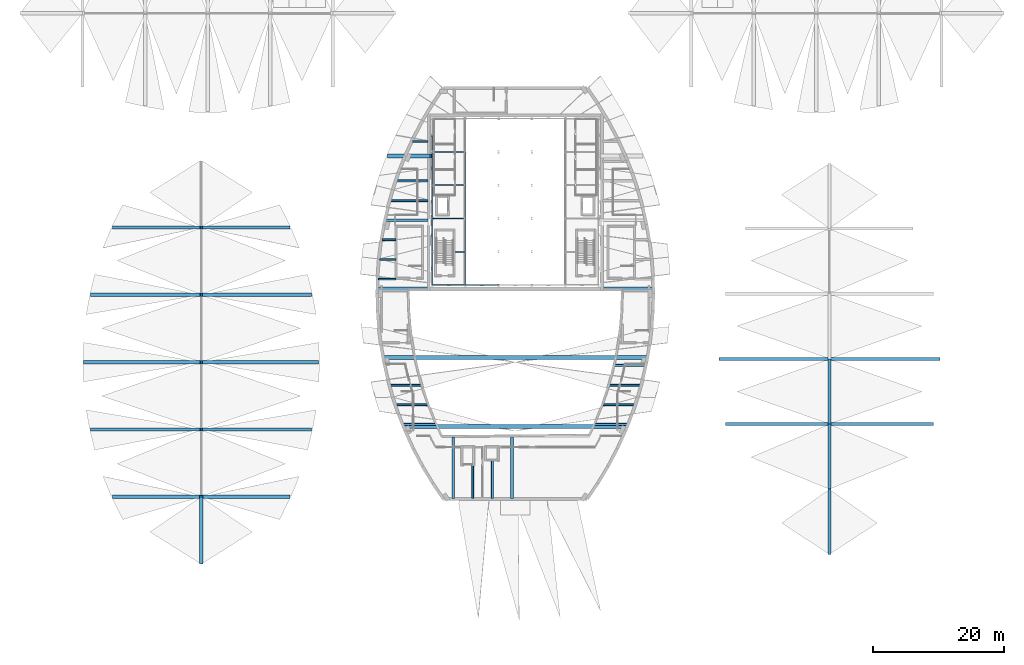
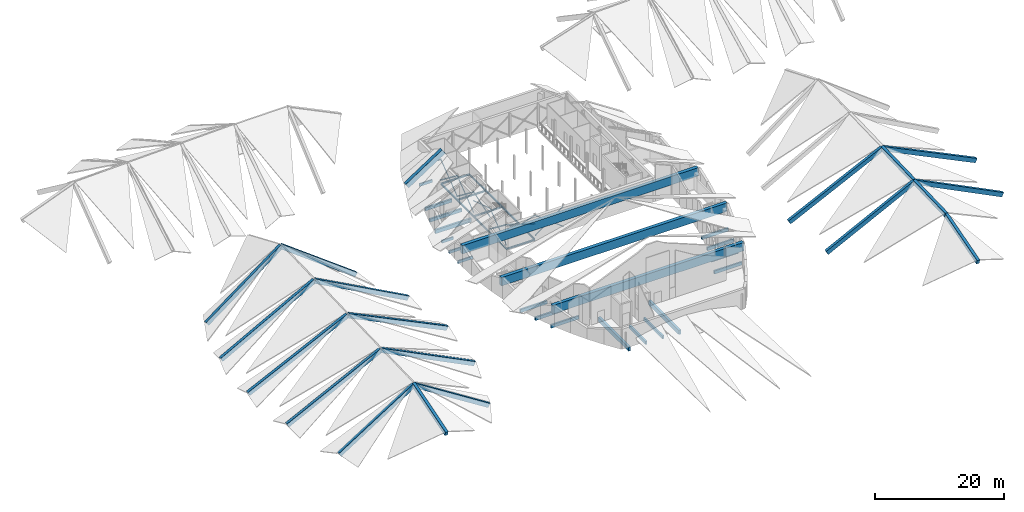
# One storey, part 5 of 17: 53 beams, 19 members.
"""IFC4 building model written with IfcOpenShell, lengths in metres."""

from ifc_helpers import new_model, si_unit, direction, frame, origin, origin_2d, place, context, subcontext, project, spatial, rectangle, hollow_circle, i_section, extrude, material, material_profile, profile_set, type_object, element, save


model = new_model("IFC4")

# Units and contexts
model_context = context("Model", 3, precision=1e-05, world=origin(), true_north=direction((0.0, 1.0)))
body_context = subcontext(model_context, "Body", "Model", "MODEL_VIEW")
ifc_project = project(units=[si_unit("LENGTHUNIT", "METRE"), si_unit("AREAUNIT", "SQUARE_METRE"), si_unit("VOLUMEUNIT", "CUBIC_METRE"), si_unit("PLANEANGLEUNIT", "RADIAN"), si_unit("MASSUNIT", "GRAM", prefix="KILO")], contexts=[model_context])

# Site, building, storey
site_placement = place(None, origin())
site = spatial("IfcSite", under=ifc_project, at=site_placement, CompositionType="ELEMENT")
building_placement = place(site_placement, origin())
building = spatial("IfcBuilding", under=site, at=building_placement, Name="Tide Square Theatres", CompositionType="ELEMENT")
storey_placement = place(building_placement, frame((0.0, 0.0, 14.800048828125)))
storey = spatial("IfcBuildingStorey", under=building, at=storey_placement, Name="L03", CompositionType="ELEMENT", Elevation=14.800048828125)

# Beams
ifc_material_1 = material(Name="Concrete C35", Category="concrete")
ifc_material_profile_1 = material_profile(ifc_material_1, rectangle(XDim=0.25, YDim=0.5, at=origin_2d()))
ifc_profile_set_1 = profile_set([ifc_material_profile_1], Name="Concrete C35")
beam_type_1 = type_object("IfcBeamType", Name="RC beam 250 x 500", PredefinedType="BEAM", material=ifc_profile_set_1)
beam_1_placement = place(storey_placement, frame((63.069091796875, 57.199951171875, -0.5), z_axis=(1.0, 0.0, 0.0), x_axis=(0.0, 1.0, 0.0)))
element("IfcBeam", 1, at=beam_1_placement, inside=storey, type_object=beam_type_1, Name="Floor beam", PredefinedType="BEAM", context=body_context, shape_type="SweptSolid", body=[
    extrude(rectangle(XDim=0.25, YDim=0.5, at=origin_2d()), origin(), (0.0, 0.0, 1.0), 2.680908203125),
])
beam_2_placement = place(storey_placement, frame((63.26953125, 60.199951171875, -0.5), z_axis=(1.0, 0.0, 0.0), x_axis=(0.0, 1.0, 0.0)))
element("IfcBeam", 2, at=beam_2_placement, inside=storey, type_object=beam_type_1, Name="Floor beam", PredefinedType="BEAM", context=body_context, shape_type="SweptSolid", body=[
    extrude(rectangle(XDim=0.25, YDim=0.5, at=origin_2d()), origin(), (0.0, 0.0, 1.0), 2.48046875),
])
beam_3_placement = place(storey_placement, frame((63.654052734375, 63.199951171875, -0.5), z_axis=(1.0, 0.0, 0.0), x_axis=(0.0, 1.0, 0.0)))
element("IfcBeam", 3, at=beam_3_placement, inside=storey, type_object=beam_type_1, Name="Floor beam", PredefinedType="BEAM", context=body_context, shape_type="SweptSolid", body=[
    extrude(rectangle(XDim=0.25, YDim=0.5, at=origin_2d()), origin(), (0.0, 0.0, 1.0), 2.095947265625),
])
beam_4_placement = place(storey_placement, frame((68.314697265625, 78.199951171875, -0.5), z_axis=(1.0, 0.0, 0.0), x_axis=(0.0, 1.0, 0.0)))
element("IfcBeam", 4, at=beam_4_placement, inside=storey, type_object=beam_type_1, Name="Floor beam", PredefinedType="BEAM", context=body_context, shape_type="SweptSolid", body=[
    extrude(rectangle(XDim=0.25, YDim=0.5, at=origin_2d()), origin(), (0.0, 0.0, 1.0), 2.335205078125),
])
ifc_material_2 = material(Name="Concrete C35", Category="concrete")
ifc_material_profile_2 = material_profile(ifc_material_2, rectangle(XDim=0.300048828125, YDim=0.60009765625, at=origin_2d()))
ifc_profile_set_2 = profile_set([ifc_material_profile_2], Name="Concrete C35")
beam_type_2 = type_object("IfcBeamType", Name="RC beam 300 x 600", PredefinedType="BEAM", material=ifc_profile_set_2)
beam_5_placement = place(storey_placement, frame((77.5, 23.70751953125, -0.550048828125), z_axis=(0.0, 1.0, 0.0), x_axis=(-1.0, 0.0, 0.0)))
element("IfcBeam", 5, at=beam_5_placement, inside=storey, type_object=beam_type_2, Name="Floor beam", PredefinedType="BEAM", context=body_context, shape_type="SweptSolid", body=[
    extrude(rectangle(XDim=0.300048828125, YDim=0.60009765625, at=origin_2d()), origin(), (0.0, 0.0, 1.0), 5.092529296875),
])
beam_6_placement = place(storey_placement, frame((80.5, 23.70751953125, -0.550048828125), z_axis=(0.0, 1.0, 0.0), x_axis=(-1.0, 0.0, 0.0)))
element("IfcBeam", 6, at=beam_6_placement, inside=storey, type_object=beam_type_2, Name="Floor beam", PredefinedType="BEAM", context=body_context, shape_type="SweptSolid", body=[
    extrude(rectangle(XDim=0.300048828125, YDim=0.60009765625, at=origin_2d()), origin(), (0.0, 0.0, 1.0), 5.79248046875),
])
beam_7_placement = place(storey_placement, frame((66.90771484375, 35.0, -0.550048828125), z_axis=(1.0, 0.0, 0.0), x_axis=(0.0, 1.0, 0.0)))
element("IfcBeam", 7, at=beam_7_placement, inside=storey, type_object=beam_type_2, Name="Floor beam", PredefinedType="BEAM", context=body_context, shape_type="SweptSolid", body=[
    extrude(rectangle(XDim=0.300048828125, YDim=0.60009765625, at=origin_2d()), origin(), (0.0, 0.0, 1.0), 4.98095703125),
])
beam_8_placement = place(storey_placement, frame((65.8037109375, 38.0, -0.550048828125), z_axis=(1.0, 0.0, 0.0), x_axis=(0.0, 1.0, 0.0)))
element("IfcBeam", 8, at=beam_8_placement, inside=storey, type_object=beam_type_2, Name="Floor beam", PredefinedType="BEAM", context=body_context, shape_type="SweptSolid", body=[
    extrude(rectangle(XDim=0.300048828125, YDim=0.60009765625, at=origin_2d()), origin(), (0.0, 0.0, 1.0), 4.850341796875),
])
beam_9_placement = place(storey_placement, frame((64.8935546875, 41.0, -0.550048828125), z_axis=(1.0, 0.0, 0.0), x_axis=(0.0, 1.0, 0.0)))
element("IfcBeam", 9, at=beam_9_placement, inside=storey, type_object=beam_type_2, Name="Floor beam", PredefinedType="BEAM", context=body_context, shape_type="SweptSolid", body=[
    extrude(rectangle(XDim=0.300048828125, YDim=0.60009765625, at=origin_2d()), origin(), (0.0, 0.0, 1.0), 4.769775390625),
])
beam_10_placement = place(storey_placement, frame((96.111328125, 35.0, -0.550048828125), z_axis=(1.0, 0.0, 0.0), x_axis=(0.0, 1.0, 0.0)))
element("IfcBeam", 10, at=beam_10_placement, inside=storey, type_object=beam_type_2, Name="Floor beam", PredefinedType="BEAM", context=body_context, shape_type="SweptSolid", body=[
    extrude(rectangle(XDim=0.300048828125, YDim=0.60009765625, at=origin_2d()), origin(), (0.0, 0.0, 1.0), 4.98095703125),
])
beam_11_placement = place(storey_placement, frame((97.345947265625, 38.0, -0.550048828125), z_axis=(1.0, 0.0, 0.0), x_axis=(0.0, 1.0, 0.0)))
element("IfcBeam", 11, at=beam_11_placement, inside=storey, type_object=beam_type_2, Name="Floor beam", PredefinedType="BEAM", context=body_context, shape_type="SweptSolid", body=[
    extrude(rectangle(XDim=0.300048828125, YDim=0.60009765625, at=origin_2d()), origin(), (0.0, 0.0, 1.0), 4.850341796875),
])
beam_12_placement = place(storey_placement, frame((98.336669921875, 41.0, -0.550048828125), z_axis=(1.0, 0.0, 0.0), x_axis=(0.0, 1.0, 0.0)))
element("IfcBeam", 12, at=beam_12_placement, inside=storey, type_object=beam_type_2, Name="Floor beam", PredefinedType="BEAM", context=body_context, shape_type="SweptSolid", body=[
    extrude(rectangle(XDim=0.300048828125, YDim=0.60009765625, at=origin_2d()), origin(), (0.0, 0.0, 1.0), 4.769775390625),
])
beam_13_placement = place(storey_placement, frame((99.12060546875, 44.0, -0.550048828125), z_axis=(1.0, 0.0, 0.0), x_axis=(0.0, 1.0, 0.0)))
element("IfcBeam", 13, at=beam_13_placement, inside=storey, type_object=beam_type_2, Name="Floor beam", PredefinedType="BEAM", context=body_context, shape_type="SweptSolid", body=[
    extrude(rectangle(XDim=0.300048828125, YDim=0.60009765625, at=origin_2d()), origin(), (0.0, 0.0, 1.0), 4.710693359375),
])
beam_14_placement = place(storey_placement, frame((64.94970703125, 69.199951171875, -0.550048828125), z_axis=(1.0, 0.0, 0.0), x_axis=(0.0, 1.0, 0.0)))
element("IfcBeam", 14, at=beam_14_placement, inside=storey, type_object=beam_type_2, Name="Floor beam", PredefinedType="BEAM", context=body_context, shape_type="SweptSolid", body=[
    extrude(rectangle(XDim=0.300048828125, YDim=0.60009765625, at=origin_2d()), origin(), (0.0, 0.0, 1.0), 5.7001953125),
])
beam_15_placement = place(storey_placement, frame((65.870849609375, 72.199951171875, -0.550048828125), z_axis=(1.0, 0.0, 0.0), x_axis=(0.0, 1.0, 0.0)))
element("IfcBeam", 15, at=beam_15_placement, inside=storey, type_object=beam_type_2, Name="Floor beam", PredefinedType="BEAM", context=body_context, shape_type="SweptSolid", body=[
    extrude(rectangle(XDim=0.300048828125, YDim=0.60009765625, at=origin_2d()), origin(), (0.0, 0.0, 1.0), 4.779052734375),
])
ifc_material_3 = material(Name="Concrete C35", Category="concrete")
ifc_material_profile_3 = material_profile(ifc_material_3, rectangle(XDim=0.35009765625, YDim=0.699951171875, at=origin_2d()))
ifc_profile_set_3 = profile_set([ifc_material_profile_3], Name="Concrete C35")
beam_type_3 = type_object("IfcBeamType", Name="RC beam 350 x 700", PredefinedType="BEAM", material=ifc_profile_set_3)
beam_16_placement = place(storey_placement, frame((64.2138671875, 66.199951171875, -0.60009765625), z_axis=(1.0, 0.0, 0.0), x_axis=(0.0, 1.0, 0.0)))
element("IfcBeam", 16, at=beam_16_placement, inside=storey, type_object=beam_type_3, Name="Floor beam", PredefinedType="BEAM", context=body_context, shape_type="SweptSolid", body=[
    extrude(rectangle(XDim=0.35009765625, YDim=0.699951171875, at=origin_2d()), origin(), (0.0, 0.0, 1.0), 6.43603515625),
])
ifc_material_4 = material(Name="Concrete C35", Category="concrete")
ifc_material_profile_4 = material_profile(ifc_material_4, rectangle(XDim=0.39990234375, YDim=0.800048828125, at=origin_2d()))
ifc_profile_set_4 = profile_set([ifc_material_profile_4], Name="Concrete C35")
beam_type_4 = type_object("IfcBeamType", Name="RC beam 400 x 800", PredefinedType="BEAM", material=ifc_profile_set_4)
for number, where, z_axis, x_axis, name in (
    (17, (74.5, 23.70751953125, -0.650146484375), (0.0, 1.0, 0.0), (-1.0, 0.0, 0.0), "Floor beam"),
    (18, (83.5, 23.70751953125, -0.650146484375), (0.0, 1.0, 0.0), (-1.0, 0.0, 0.0), "Floor beam"),
):
    element("IfcBeam", number, at=place(storey_placement, frame(where, z_axis=z_axis, x_axis=x_axis)), inside=storey, type_object=beam_type_4, Name=name, PredefinedType="BEAM", context=body_context, shape_type="SweptSolid", body=[
        extrude(rectangle(XDim=0.39990234375, YDim=0.800048828125, at=origin_2d()), origin(), (0.0, 0.0, 1.0), 9.392578125),
    ])
ifc_material_5 = material(Name="Concrete C40", Category="concrete")
ifc_material_profile_5 = material_profile(ifc_material_5, rectangle(XDim=0.5, YDim=0.800048828125, at=origin_2d()))
ifc_profile_set_5 = profile_set([ifc_material_profile_5], Name="Concrete C40")
beam_type_5 = type_object("IfcBeamType", Name="RC roof rib 500 x 800", PredefinedType="BEAM", material=ifc_profile_set_5)
beam_17_placement = place(storey_placement, frame((49.354248046875, 23.919921875, -2.541015625), z_axis=(-0.844108056281, 0.0, 0.536173096417), x_axis=(0.0, -1.0, 0.0)))
element("IfcBeam", 19, at=beam_17_placement, inside=storey, type_object=beam_type_5, Name="Roof rib studio R1", PredefinedType="BEAM", context=body_context, shape_type="SweptSolid", body=[
    extrude(rectangle(XDim=0.5, YDim=0.800048828125, at=origin_2d()), origin(), (0.0, 0.0, 1.0), 15.837646484375),
])
beam_18_placement = place(storey_placement, frame((52.705810546875, 34.2099609375, -2.052734375), z_axis=(-0.894293676448, 0.0, 0.447480525012), x_axis=(0.0, -1.0, 0.0)))
element("IfcBeam", 20, at=beam_18_placement, inside=storey, type_object=beam_type_5, Name="Roof rib studio R2", PredefinedType="BEAM", context=body_context, shape_type="SweptSolid", body=[
    extrude(rectangle(XDim=0.5, YDim=0.800048828125, at=origin_2d()), origin(), (0.0, 0.0, 1.0), 18.656982421875),
])
beam_19_placement = place(storey_placement, frame((53.7685546875, 44.5, -1.969482421875), z_axis=(-0.90007825314, 0.0, 0.435728284857), x_axis=(0.0, -1.0, 0.0)))
element("IfcBeam", 21, at=beam_19_placement, inside=storey, type_object=beam_type_5, Name="Roof rib studio R3", PredefinedType="BEAM", context=body_context, shape_type="SweptSolid", body=[
    extrude(rectangle(XDim=0.5, YDim=0.800048828125, at=origin_2d()), origin(), (0.0, 0.0, 1.0), 19.712646484375),
])
beam_20_placement = place(storey_placement, frame((52.69384765625, 54.7900390625, -2.136962890625), z_axis=(-0.878677626502, 0.0, 0.477415572311), x_axis=(0.0, -1.0, 0.0)))
element("IfcBeam", 22, at=beam_20_placement, inside=storey, type_object=beam_type_5, Name="Roof rib studio R4", PredefinedType="BEAM", context=body_context, shape_type="SweptSolid", body=[
    extrude(rectangle(XDim=0.5, YDim=0.800048828125, at=origin_2d()), origin(), (0.0, 0.0, 1.0), 18.988525390625),
])
beam_21_placement = place(storey_placement, frame((49.328857421875, 65.080078125, -2.770751953125), z_axis=(-0.800333117327, 0.0, 0.599555586505), x_axis=(0.0, -1.0, 0.0)))
element("IfcBeam", 23, at=beam_21_placement, inside=storey, type_object=beam_type_5, Name="Roof rib studio R5", PredefinedType="BEAM", context=body_context, shape_type="SweptSolid", body=[
    extrude(rectangle(XDim=0.5, YDim=0.800048828125, at=origin_2d()), origin(), (0.0, 0.0, 1.0), 16.703857421875),
])
beam_22_placement = place(storey_placement, frame((22.645751953125, 23.919921875, -2.541015625), z_axis=(0.844108056281, 0.0, 0.536173096417), x_axis=(0.0, 1.0, 0.0)))
element("IfcBeam", 24, at=beam_22_placement, inside=storey, type_object=beam_type_5, Name="Roof rib studio L1", PredefinedType="BEAM", context=body_context, shape_type="SweptSolid", body=[
    extrude(rectangle(XDim=0.5, YDim=0.800048828125, at=origin_2d()), origin(), (0.0, 0.0, 1.0), 15.837646484375),
])
beam_23_placement = place(storey_placement, frame((19.294189453125, 34.2099609375, -2.052734375), z_axis=(0.894293676448, 0.0, 0.447480525012), x_axis=(0.0, 1.0, 0.0)))
element("IfcBeam", 25, at=beam_23_placement, inside=storey, type_object=beam_type_5, Name="Roof rib studio L2", PredefinedType="BEAM", context=body_context, shape_type="SweptSolid", body=[
    extrude(rectangle(XDim=0.5, YDim=0.800048828125, at=origin_2d()), origin(), (0.0, 0.0, 1.0), 18.656982421875),
])
beam_24_placement = place(storey_placement, frame((18.2314453125, 44.5, -1.969482421875), z_axis=(0.90007825314, 0.0, 0.435728284857), x_axis=(0.0, 1.0, 0.0)))
element("IfcBeam", 26, at=beam_24_placement, inside=storey, type_object=beam_type_5, Name="Roof rib studio L3", PredefinedType="BEAM", context=body_context, shape_type="SweptSolid", body=[
    extrude(rectangle(XDim=0.5, YDim=0.800048828125, at=origin_2d()), origin(), (0.0, 0.0, 1.0), 19.712646484375),
])
beam_25_placement = place(storey_placement, frame((19.30615234375, 54.7900390625, -2.136962890625), z_axis=(0.878677626502, 0.0, 0.477415572311), x_axis=(0.0, 1.0, 0.0)))
element("IfcBeam", 27, at=beam_25_placement, inside=storey, type_object=beam_type_5, Name="Roof rib studio L4", PredefinedType="BEAM", context=body_context, shape_type="SweptSolid", body=[
    extrude(rectangle(XDim=0.5, YDim=0.800048828125, at=origin_2d()), origin(), (0.0, 0.0, 1.0), 18.988525390625),
])
beam_26_placement = place(storey_placement, frame((22.671142578125, 65.080078125, -2.770751953125), z_axis=(0.800333117327, 0.0, 0.599555586505), x_axis=(0.0, 1.0, 0.0)))
element("IfcBeam", 28, at=beam_26_placement, inside=storey, type_object=beam_type_5, Name="Roof rib studio L5", PredefinedType="BEAM", context=body_context, shape_type="SweptSolid", body=[
    extrude(rectangle(XDim=0.5, YDim=0.800048828125, at=origin_2d()), origin(), (0.0, 0.0, 1.0), 16.703857421875),
])
beam_27_placement = place(storey_placement, frame((147.707763671875, 35.041748046875, -3.85302734375), z_axis=(-0.894101335326, 0.0, 0.447864714137), x_axis=(0.0, -1.0, 0.0)))
element("IfcBeam", 29, at=beam_27_placement, inside=storey, type_object=beam_type_5, Name="Roof rib blackbox R2", PredefinedType="BEAM", context=body_context, shape_type="SweptSolid", body=[
    extrude(rectangle(XDim=0.5, YDim=0.800048828125, at=origin_2d()), origin(), (0.0, 0.0, 1.0), 17.544677734375),
])
beam_28_placement = place(storey_placement, frame((148.702392578125, 45.0, -3.7734375), z_axis=(-0.89968747249, 0.0, 0.436534594098), x_axis=(0.0, -1.0, 0.0)))
element("IfcBeam", 30, at=beam_28_placement, inside=storey, type_object=beam_type_5, Name="Roof rib blackbox R3", PredefinedType="BEAM", context=body_context, shape_type="SweptSolid", body=[
    extrude(rectangle(XDim=0.5, YDim=0.800048828125, at=origin_2d()), origin(), (0.0, 0.0, 1.0), 18.536376953125),
])
beam_29_placement = place(storey_placement, frame((116.292236328125, 35.041748046875, -3.85302734375), z_axis=(0.894101335326, 0.0, 0.447864714137), x_axis=(0.0, 1.0, 0.0)))
element("IfcBeam", 31, at=beam_29_placement, inside=storey, type_object=beam_type_5, Name="Roof rib blackbox L2", PredefinedType="BEAM", context=body_context, shape_type="SweptSolid", body=[
    extrude(rectangle(XDim=0.5, YDim=0.800048828125, at=origin_2d()), origin(), (0.0, 0.0, 1.0), 17.544677734375),
])
beam_30_placement = place(storey_placement, frame((115.297607421875, 45.0, -3.7734375), z_axis=(0.89968747249, 0.0, 0.436534594098), x_axis=(0.0, 1.0, 0.0)))
element("IfcBeam", 32, at=beam_30_placement, inside=storey, type_object=beam_type_5, Name="Roof rib blackbox L3", PredefinedType="BEAM", context=body_context, shape_type="SweptSolid", body=[
    extrude(rectangle(XDim=0.5, YDim=0.800048828125, at=origin_2d()), origin(), (0.0, 0.0, 1.0), 18.536376953125),
])
ifc_material_6 = material(Name="Concrete C40", Category="concrete")
ifc_material_profile_6 = material_profile(ifc_material_6, rectangle(XDim=0.60009765625, YDim=1.0, at=origin_2d()))
ifc_profile_set_6 = profile_set([ifc_material_profile_6], Name="Concrete C40")
beam_type_6 = type_object("IfcBeamType", Name="RC roof rib and ridge 600 x 1000", PredefinedType="BEAM", material=ifc_profile_set_6)
beam_31_placement = place(storey_placement, frame((64.733154296875, 76.0068359375, 2.0068359375), z_axis=(0.837268460487, 0.0, 0.546792030916), x_axis=(0.0, 1.0, 0.0)))
element("IfcBeam", 33, at=beam_31_placement, inside=storey, type_object=beam_type_6, Name="Roof rib main L5", PredefinedType="BEAM", context=body_context, shape_type="SweptSolid", body=[
    extrude(rectangle(XDim=0.60009765625, YDim=1.0, at=origin_2d()), origin(), (0.0, 0.0, 1.0), 7.8115234375),
])
ifc_material_7 = material(Name="Concrete C40", Category="concrete")
ifc_material_profile_7 = material_profile(ifc_material_7, rectangle(XDim=0.5, YDim=0.800048828125, at=origin_2d()))
ifc_profile_set_7 = profile_set([ifc_material_profile_7], Name="Concrete C40")
beam_type_7 = type_object("IfcBeamType", Name="RC roof ridge beam 500 x 800", PredefinedType="BEAM", material=ifc_profile_set_7)
beam_32_placement = place(storey_placement, frame((36.0, 13.74609375, 2.83154296875), z_axis=(0.0, 0.956320919484, 0.292318831), x_axis=(-1.0, 0.0, 0.0)))
element("IfcBeam", 34, at=beam_32_placement, inside=storey, type_object=beam_type_7, Name="Ridge beam studio", PredefinedType="BEAM", context=body_context, shape_type="SweptSolid", body=[
    extrude(rectangle(XDim=0.5, YDim=0.800048828125, at=origin_2d()), origin(), (0.0, 0.0, 1.0), 10.760498046875),
])
beam_33_placement = place(storey_placement, frame((132.0, 15.236083984375, 0.813720703125), z_axis=(0.0, 0.960706506978, 0.277566221739), x_axis=(-1.0, 0.0, 0.0)))
element("IfcBeam", 35, at=beam_33_placement, inside=storey, type_object=beam_type_7, Name="Ridge beam blackbox", PredefinedType="BEAM", context=body_context, shape_type="SweptSolid", body=[
    extrude(rectangle(XDim=0.5, YDim=0.800048828125, at=origin_2d()), origin(), (0.0, 0.0, 1.0), 10.36572265625),
])
beam_34_placement = place(storey_placement, frame((132.0, 25.095703125, 3.71923828125), z_axis=(0.0, 0.999550039057, 0.029995323326), x_axis=(-1.0, 0.0, 0.0)))
element("IfcBeam", 36, at=beam_34_placement, inside=storey, type_object=beam_type_7, Name="Ridge beam blackbox", PredefinedType="BEAM", context=body_context, shape_type="SweptSolid", body=[
    extrude(rectangle(XDim=0.5, YDim=0.800048828125, at=origin_2d()), origin(), (0.0, 0.0, 1.0), 9.96240234375),
])
beam_35_placement = place(storey_placement, frame((132.0, 35.0537109375, 4.03466796875), z_axis=(0.0, 0.999550795503, 0.029970105247), x_axis=(-1.0, 0.0, 0.0)))
element("IfcBeam", 37, at=beam_35_placement, inside=storey, type_object=beam_type_7, Name="Ridge beam blackbox", PredefinedType="BEAM", context=body_context, shape_type="SweptSolid", body=[
    extrude(rectangle(XDim=0.5, YDim=0.800048828125, at=origin_2d()), origin(), (0.0, 0.0, 1.0), 9.962646484375),
])
ifc_material_8 = material(Name="Concrete C40", Category="concrete")
ifc_material_profile_8 = material_profile(ifc_material_8, rectangle(XDim=0.60009765625, YDim=1.60009765625, at=origin_2d()))
ifc_profile_set_8 = profile_set([ifc_material_profile_8], Name="Concrete C40")
beam_type_8 = type_object("IfcBeamType", Name="RC tie beam 600 x 1600", PredefinedType="BEAM", material=ifc_profile_set_8)
beam_36_placement = place(storey_placement, frame((101.093994140625, 34.644287109375, 2.951171875), z_axis=(-1.0, 0.0, 0.0), x_axis=(0.0, -1.0, 0.0)))
element("IfcBeam", 38, at=beam_36_placement, inside=storey, type_object=beam_type_8, Name="Eaves tie beam main 1", PredefinedType="BEAM", context=body_context, shape_type="SweptSolid", body=[
    extrude(rectangle(XDim=0.60009765625, YDim=1.60009765625, at=origin_2d()), origin(), (0.0, 0.0, 1.0), 34.18798828125),
])
beam_37_placement = place(storey_placement, frame((104.194091796875, 45.186279296875, 2.939208984375), z_axis=(-1.0, 0.0, 0.0), x_axis=(0.0, -1.0, 0.0)))
element("IfcBeam", 39, at=beam_37_placement, inside=storey, type_object=beam_type_8, Name="Eaves tie beam main 2", PredefinedType="BEAM", context=body_context, shape_type="SweptSolid", body=[
    extrude(rectangle(XDim=0.60009765625, YDim=1.60009765625, at=origin_2d()), origin(), (0.0, 0.0, 1.0), 40.38818359375),
])
beam_38_placement = place(storey_placement, frame((105.0927734375, 55.69970703125, 2.93310546875), z_axis=(-1.0, 0.0, 0.0), x_axis=(0.0, -1.0, 0.0)))
element("IfcBeam", 40, at=beam_38_placement, inside=storey, type_object=beam_type_8, Name="Eaves tie beam main 3", PredefinedType="BEAM", context=body_context, shape_type="SweptSolid", body=[
    extrude(rectangle(XDim=0.60009765625, YDim=1.60009765625, at=origin_2d()), origin(), (0.0, 0.0, 1.0), 42.185546875),
])
ifc_material_9 = material(Name="Steel ASTM A572 Grade 50", Category="steel")
ifc_material_profile_9 = material_profile(ifc_material_9, i_section(OverallWidth=0.1650390625, OverallDepth=0.31005859375, WebThickness=0.005859375, FlangeThickness=0.009765625, FilletRadius=0.010009765625, at=origin_2d()))
ifc_profile_set_9 = profile_set([ifc_material_profile_9], Name="Steel ASTM A572 Grade 50")
beam_type_9 = type_object("IfcBeamType", Name="Steel beam W 310 x 38.7", PredefinedType="BEAM", material=ifc_profile_set_9)
for number, where, z_axis, x_axis, name in (
    (41, (71.27587890625, 56.27587890625, -0.35498046875), (0.0, 1.0, 0.0), (-1.0, 0.0, 0.0), "Fly gallery beam"),
    (42, (71.27587890625, 61.365478515625, -0.35498046875), (0.0, 1.0, 0.0), (-1.0, 0.0, 0.0), "Fly gallery beam"),
):
    element("IfcBeam", number, at=place(storey_placement, frame(where, z_axis=z_axis, x_axis=x_axis)), inside=storey, type_object=beam_type_9, Name=name, PredefinedType="BEAM", context=body_context, shape_type="SweptSolid", body=[
        extrude(i_section(OverallWidth=0.1650390625, OverallDepth=0.31005859375, WebThickness=0.005859375, FlangeThickness=0.009765625, FilletRadius=0.010009765625, at=origin_2d()), origin(), (0.0, 0.0, 1.0), 5.089599609375),
    ])
beam_39_placement = place(storey_placement, frame((71.27587890625, 66.455078125, -0.35498046875), z_axis=(0.0, 1.0, 0.0), x_axis=(-1.0, 0.0, 0.0)))
element("IfcBeam", 43, at=beam_39_placement, inside=storey, type_object=beam_type_9, Name="Fly gallery beam", PredefinedType="BEAM", context=body_context, shape_type="SweptSolid", body=[
    extrude(i_section(OverallWidth=0.1650390625, OverallDepth=0.31005859375, WebThickness=0.005859375, FlangeThickness=0.009765625, FilletRadius=0.010009765625, at=origin_2d()), origin(), (0.0, 0.0, 1.0), 5.08984375),
])
for number, where, z_axis, x_axis, name in (
    (44, (71.27587890625, 71.544921875, -0.35498046875), (0.0, 1.0, 0.0), (-1.0, 0.0, 0.0), "Fly gallery beam"),
    (45, (76.365478515625, 56.27587890625, -0.35498046875), (0.0, 1.0, 0.0), (-1.0, 0.0, 0.0), "Fly gallery beam"),
    (46, (76.365478515625, 61.365478515625, -0.35498046875), (0.0, 1.0, 0.0), (-1.0, 0.0, 0.0), "Fly gallery beam"),
):
    element("IfcBeam", number, at=place(storey_placement, frame(where, z_axis=z_axis, x_axis=x_axis)), inside=storey, type_object=beam_type_9, Name=name, PredefinedType="BEAM", context=body_context, shape_type="SweptSolid", body=[
        extrude(i_section(OverallWidth=0.1650390625, OverallDepth=0.31005859375, WebThickness=0.005859375, FlangeThickness=0.009765625, FilletRadius=0.010009765625, at=origin_2d()), origin(), (0.0, 0.0, 1.0), 5.089599609375),
    ])
beam_40_placement = place(storey_placement, frame((76.365478515625, 66.455078125, -0.35498046875), z_axis=(0.0, 1.0, 0.0), x_axis=(-1.0, 0.0, 0.0)))
element("IfcBeam", 47, at=beam_40_placement, inside=storey, type_object=beam_type_9, Name="Fly gallery beam", PredefinedType="BEAM", context=body_context, shape_type="SweptSolid", body=[
    extrude(i_section(OverallWidth=0.1650390625, OverallDepth=0.31005859375, WebThickness=0.005859375, FlangeThickness=0.009765625, FilletRadius=0.010009765625, at=origin_2d()), origin(), (0.0, 0.0, 1.0), 5.08984375),
])
for number, where, z_axis, x_axis, name in (
    (48, (76.365478515625, 71.544921875, -0.35498046875), (0.0, 1.0, 0.0), (-1.0, 0.0, 0.0), "Fly gallery beam"),
    (49, (71.27587890625, 56.27587890625, -0.35498046875), (1.0, 0.0, 0.0), (0.0, 1.0, 0.0), "Fly gallery cross beam"),
):
    element("IfcBeam", number, at=place(storey_placement, frame(where, z_axis=z_axis, x_axis=x_axis)), inside=storey, type_object=beam_type_9, Name=name, PredefinedType="BEAM", context=body_context, shape_type="SweptSolid", body=[
        extrude(i_section(OverallWidth=0.1650390625, OverallDepth=0.31005859375, WebThickness=0.005859375, FlangeThickness=0.009765625, FilletRadius=0.010009765625, at=origin_2d()), origin(), (0.0, 0.0, 1.0), 5.089599609375),
    ])
beam_41_placement = place(storey_placement, frame((74.77587890625, 61.365478515625, -0.35498046875), z_axis=(1.0, 0.0, 0.0), x_axis=(0.0, 1.0, 0.0)))
element("IfcBeam", 50, at=beam_41_placement, inside=storey, type_object=beam_type_9, Name="Fly gallery cross beam", PredefinedType="BEAM", context=body_context, shape_type="SweptSolid", body=[
    extrude(i_section(OverallWidth=0.1650390625, OverallDepth=0.31005859375, WebThickness=0.005859375, FlangeThickness=0.009765625, FilletRadius=0.010009765625, at=origin_2d()), origin(), (0.0, 0.0, 1.0), 1.589599609375),
])
for number, where, z_axis, x_axis, name in (
    (51, (71.27587890625, 66.455078125, -0.35498046875), (1.0, 0.0, 0.0), (0.0, 1.0, 0.0), "Fly gallery cross beam"),
    (52, (71.27587890625, 71.544921875, -0.35498046875), (1.0, 0.0, 0.0), (0.0, 1.0, 0.0), "Fly gallery cross beam"),
    (53, (71.27587890625, 76.634521484375, -0.35498046875), (1.0, 0.0, 0.0), (0.0, 1.0, 0.0), "Fly gallery cross beam"),
):
    element("IfcBeam", number, at=place(storey_placement, frame(where, z_axis=z_axis, x_axis=x_axis)), inside=storey, type_object=beam_type_9, Name=name, PredefinedType="BEAM", context=body_context, shape_type="SweptSolid", body=[
        extrude(i_section(OverallWidth=0.1650390625, OverallDepth=0.31005859375, WebThickness=0.005859375, FlangeThickness=0.009765625, FilletRadius=0.010009765625, at=origin_2d()), origin(), (0.0, 0.0, 1.0), 5.089599609375),
    ])

# Members
ifc_material_10 = material(Name="Steel ASTM A500 Grade C", Category="steel")
ifc_material_profile_10 = material_profile(ifc_material_10, hollow_circle(Radius=0.084228515625, WallThickness=0.008056640625, at=origin_2d()))
ifc_profile_set_10 = profile_set([ifc_material_profile_10], Name="Steel ASTM A500 Grade C")
member_type = type_object("IfcMemberType", Name="Steel brace CHS 168.3 x 8.0", PredefinedType="BRACE", material=ifc_profile_set_10)
member_1_placement = place(storey_placement, frame((71.27587890625, 56.27587890625, 2.599853515625), z_axis=(0.951252128947, 0.0, 0.30841431091), x_axis=(0.0, 1.0, 0.0)))
element("IfcMember", 54, at=member_1_placement, inside=storey, type_object=member_type, Name="Fly tower brace", PredefinedType="BRACE", context=body_context, shape_type="SweptSolid", body=[
    extrude(hollow_circle(Radius=0.084228515625, WallThickness=0.008056640625, at=origin_2d()), origin(), (0.0, 0.0, 1.0), 5.350341796875),
])
member_2_placement = place(storey_placement, frame((76.365478515625, 56.27587890625, 2.599853515625), z_axis=(-0.951247969685, 0.0, 0.30842713916), x_axis=(0.0, -1.0, 0.0)))
element("IfcMember", 55, at=member_2_placement, inside=storey, type_object=member_type, Name="Fly tower brace", PredefinedType="BRACE", context=body_context, shape_type="SweptSolid", body=[
    extrude(hollow_circle(Radius=0.084228515625, WallThickness=0.008056640625, at=origin_2d()), origin(), (0.0, 0.0, 1.0), 2.46337890625),
])
member_3_placement = place(storey_placement, frame((73.619384765625, 56.27587890625, 3.490234375), z_axis=(-0.951257396321, 0.0, 0.308398064106), x_axis=(0.0, -1.0, 0.0)))
element("IfcMember", 56, at=member_3_placement, inside=storey, type_object=member_type, Name="Fly tower brace", PredefinedType="BRACE", context=body_context, shape_type="SweptSolid", body=[
    extrude(hollow_circle(Radius=0.084228515625, WallThickness=0.008056640625, at=origin_2d()), origin(), (0.0, 0.0, 1.0), 2.463623046875),
])
member_4_placement = place(storey_placement, frame((76.365478515625, 56.27587890625, 0.349853515625), z_axis=(0.793747901786, 0.0, 0.608246881135), x_axis=(0.0, 1.0, 0.0)))
element("IfcMember", 57, at=member_4_placement, inside=storey, type_object=member_type, Name="Fly tower brace", PredefinedType="BRACE", context=body_context, shape_type="SweptSolid", body=[
    extrude(hollow_circle(Radius=0.084228515625, WallThickness=0.008056640625, at=origin_2d()), origin(), (0.0, 0.0, 1.0), 6.412109375),
])
for number, where, z_axis, x_axis, name in (
    (58, (81.455078125, 56.27587890625, 0.349853515625), (-0.793732831925, 0.0, 0.608266546445), (0.0, -1.0, 0.0), "Fly tower brace"),
    (59, (78.83154296875, 56.27587890625, 2.3603515625), (-0.793761905618, 0.0, 0.608228606027), (0.0, -1.0, 0.0), "Fly tower brace"),
):
    element("IfcMember", number, at=place(storey_placement, frame(where, z_axis=z_axis, x_axis=x_axis)), inside=storey, type_object=member_type, Name=name, PredefinedType="BRACE", context=body_context, shape_type="SweptSolid", body=[
        extrude(hollow_circle(Radius=0.084228515625, WallThickness=0.008056640625, at=origin_2d()), origin(), (0.0, 0.0, 1.0), 3.106689453125),
    ])
member_5_placement = place(storey_placement, frame((71.27587890625, 56.27587890625, 0.349853515625), z_axis=(0.0, 0.793747901786, 0.608246881135), x_axis=(-1.0, 0.0, 0.0)))
element("IfcMember", 60, at=member_5_placement, inside=storey, type_object=member_type, Name="Fly tower brace", PredefinedType="BRACE", context=body_context, shape_type="SweptSolid", body=[
    extrude(hollow_circle(Radius=0.084228515625, WallThickness=0.008056640625, at=origin_2d()), origin(), (0.0, 0.0, 1.0), 6.412109375),
])
for number, where, z_axis, x_axis, name in (
    (61, (71.27587890625, 61.365478515625, 0.349853515625), (0.0, -0.793732831925, 0.608266546445), (1.0, 0.0, 0.0), "Fly tower brace"),
    (62, (71.27587890625, 58.741943359375, 2.3603515625), (0.0, -0.793761905618, 0.608228606027), (1.0, 0.0, 0.0), "Fly tower brace"),
):
    element("IfcMember", number, at=place(storey_placement, frame(where, z_axis=z_axis, x_axis=x_axis)), inside=storey, type_object=member_type, Name=name, PredefinedType="BRACE", context=body_context, shape_type="SweptSolid", body=[
        extrude(hollow_circle(Radius=0.084228515625, WallThickness=0.008056640625, at=origin_2d()), origin(), (0.0, 0.0, 1.0), 3.106689453125),
    ])
member_6_placement = place(storey_placement, frame((71.27587890625, 61.365478515625, 2.599853515625), z_axis=(0.0, 0.951252128947, 0.30841431091), x_axis=(-1.0, 0.0, 0.0)))
element("IfcMember", 63, at=member_6_placement, inside=storey, type_object=member_type, Name="Fly tower brace", PredefinedType="BRACE", context=body_context, shape_type="SweptSolid", body=[
    extrude(hollow_circle(Radius=0.084228515625, WallThickness=0.008056640625, at=origin_2d()), origin(), (0.0, 0.0, 1.0), 5.350341796875),
])
member_7_placement = place(storey_placement, frame((71.27587890625, 66.455078125, 2.599853515625), z_axis=(0.0, -0.951247969685, 0.30842713916), x_axis=(1.0, 0.0, 0.0)))
element("IfcMember", 64, at=member_7_placement, inside=storey, type_object=member_type, Name="Fly tower brace", PredefinedType="BRACE", context=body_context, shape_type="SweptSolid", body=[
    extrude(hollow_circle(Radius=0.084228515625, WallThickness=0.008056640625, at=origin_2d()), origin(), (0.0, 0.0, 1.0), 2.46337890625),
])
member_8_placement = place(storey_placement, frame((71.27587890625, 63.708984375, 3.490234375), z_axis=(0.0, -0.951257396321, 0.308398064106), x_axis=(1.0, 0.0, 0.0)))
element("IfcMember", 65, at=member_8_placement, inside=storey, type_object=member_type, Name="Fly tower brace", PredefinedType="BRACE", context=body_context, shape_type="SweptSolid", body=[
    extrude(hollow_circle(Radius=0.084228515625, WallThickness=0.008056640625, at=origin_2d()), origin(), (0.0, 0.0, 1.0), 2.463623046875),
])
member_9_placement = place(storey_placement, frame((71.27587890625, 66.455078125, 0.349853515625), z_axis=(0.0, 0.793761987508, 0.608228499158), x_axis=(-1.0, 0.0, 0.0)))
element("IfcMember", 66, at=member_9_placement, inside=storey, type_object=member_type, Name="Fly tower brace", PredefinedType="BRACE", context=body_context, shape_type="SweptSolid", body=[
    extrude(hollow_circle(Radius=0.084228515625, WallThickness=0.008056640625, at=origin_2d()), origin(), (0.0, 0.0, 1.0), 6.412353515625),
])
for number, where, z_axis, x_axis, name in (
    (67, (71.27587890625, 71.544921875, 0.349853515625), (0.0, -0.793761905618, 0.608228606027), (1.0, 0.0, 0.0), "Fly tower brace"),
    (68, (71.27587890625, 68.921142578125, 2.3603515625), (0.0, -0.793761905618, 0.608228606027), (1.0, 0.0, 0.0), "Fly tower brace"),
):
    element("IfcMember", number, at=place(storey_placement, frame(where, z_axis=z_axis, x_axis=x_axis)), inside=storey, type_object=member_type, Name=name, PredefinedType="BRACE", context=body_context, shape_type="SweptSolid", body=[
        extrude(hollow_circle(Radius=0.084228515625, WallThickness=0.008056640625, at=origin_2d()), origin(), (0.0, 0.0, 1.0), 3.106689453125),
    ])
member_10_placement = place(storey_placement, frame((71.27587890625, 71.544921875, 0.349853515625), z_axis=(0.0, 0.793747901786, 0.608246881135), x_axis=(-1.0, 0.0, 0.0)))
element("IfcMember", 69, at=member_10_placement, inside=storey, type_object=member_type, Name="Fly tower brace", PredefinedType="BRACE", context=body_context, shape_type="SweptSolid", body=[
    extrude(hollow_circle(Radius=0.084228515625, WallThickness=0.008056640625, at=origin_2d()), origin(), (0.0, 0.0, 1.0), 6.412109375),
])
for number, where, z_axis, x_axis, name in (
    (70, (71.27587890625, 76.634521484375, 0.349853515625), (0.0, -0.793761905618, 0.608228606027), (1.0, 0.0, 0.0), "Fly tower brace"),
    (71, (71.27587890625, 74.0107421875, 2.3603515625), (0.0, -0.793732831925, 0.608266546445), (1.0, 0.0, 0.0), "Fly tower brace"),
    (72, (71.27587890625, 79.100341796875, 2.3603515625), (0.0, -0.793732831925, 0.608266546445), (1.0, 0.0, 0.0), "Fly tower brace"),
):
    element("IfcMember", number, at=place(storey_placement, frame(where, z_axis=z_axis, x_axis=x_axis)), inside=storey, type_object=member_type, Name=name, PredefinedType="BRACE", context=body_context, shape_type="SweptSolid", body=[
        extrude(hollow_circle(Radius=0.084228515625, WallThickness=0.008056640625, at=origin_2d()), origin(), (0.0, 0.0, 1.0), 3.106689453125),
    ])

save(model, "model.ifc")
